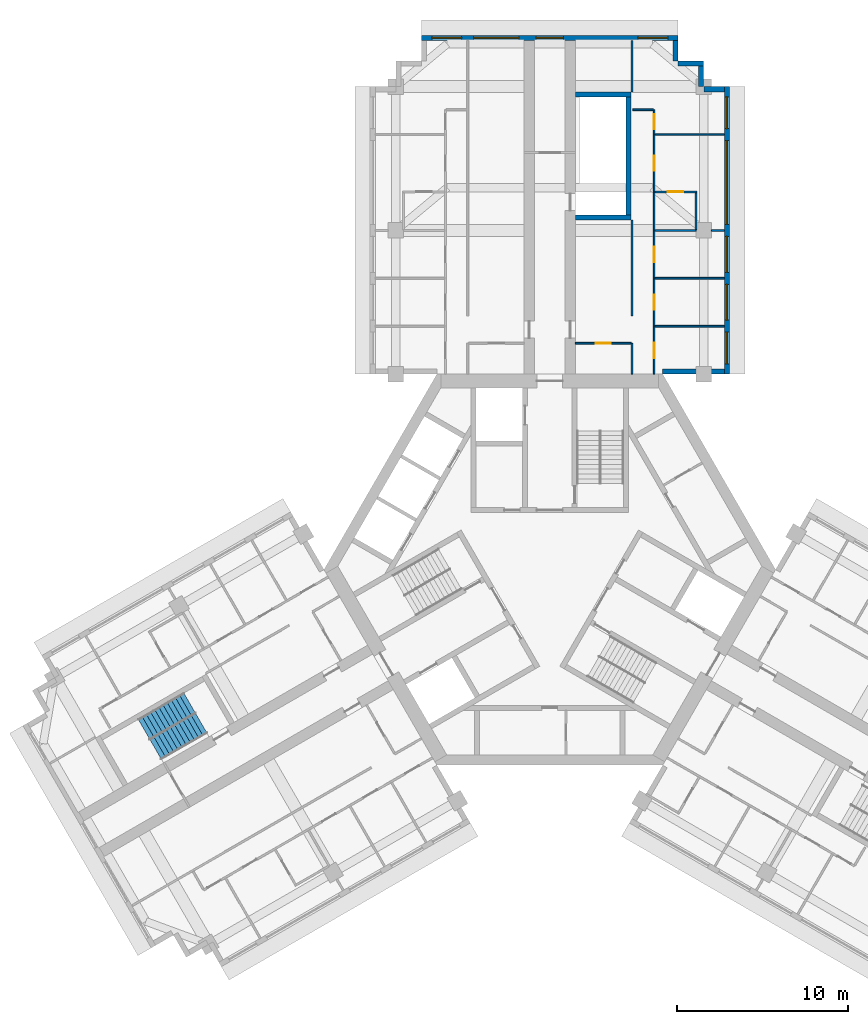
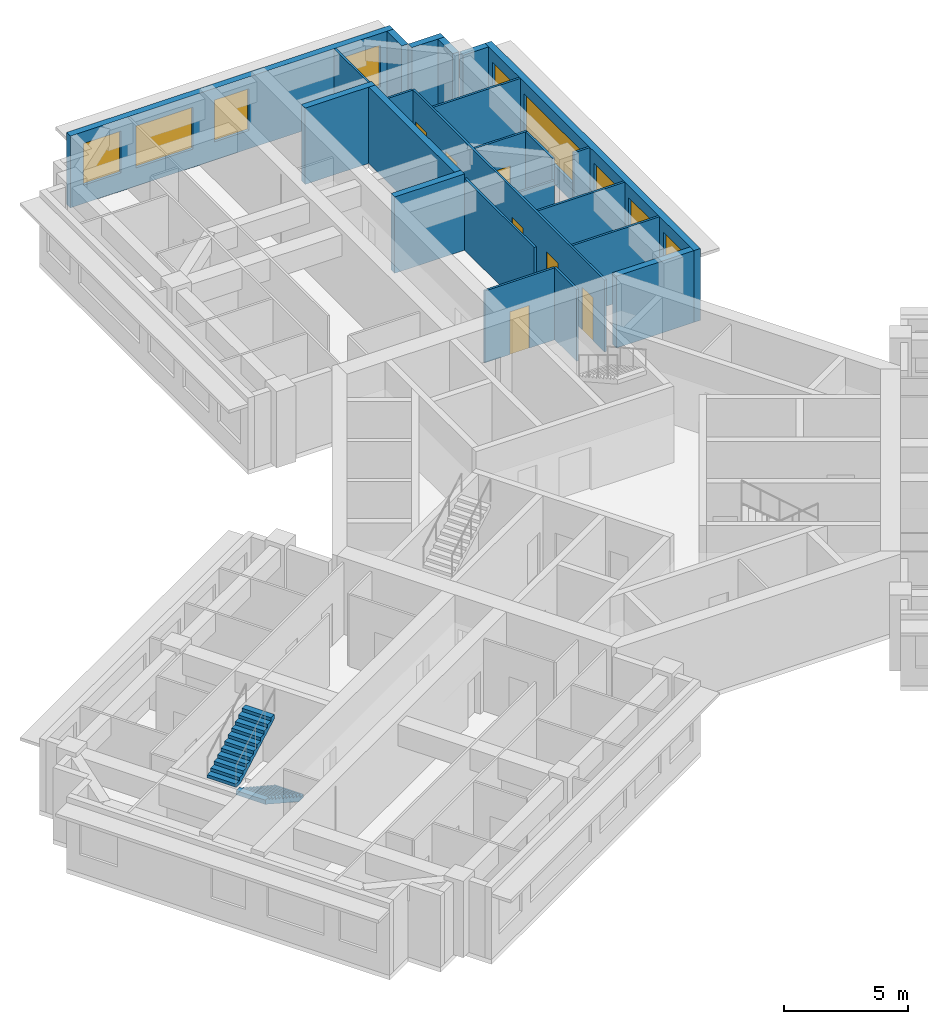
# One storey, part 8 of 10: 23 walls, 9 windows, 7 doors, 2 stair flights, 16 openings, 1 element without a shape of its own.
"""IFC4 building model written with IfcOpenShell, lengths in metres."""

from ifc_helpers import new_model, si_unit, direction, frame, frame_2d, origin, place, context, subcontext, project, spatial, polyline, rectangle, outline, extrude, material, layer, layer_set, type_object, element, fill, aggregate, save


model = new_model("IFC4")

# Units and contexts
model_context = context("Model", 3, precision=1e-05, world=origin(), true_north=direction((0.0, 1.0)))
body_context = subcontext(model_context, "Body", "Model", "MODEL_VIEW")
ifc_project = project(units=[si_unit("LENGTHUNIT", "METRE"), si_unit("AREAUNIT", "SQUARE_METRE"), si_unit("VOLUMEUNIT", "CUBIC_METRE"), si_unit("PLANEANGLEUNIT", "RADIAN"), si_unit("MASSUNIT", "GRAM", prefix="KILO")], contexts=[model_context])

# Site, building, storey
site_placement = place(None, origin())
site = spatial("IfcSite", under=ifc_project, at=site_placement, CompositionType="ELEMENT")
building_placement = place(site_placement, origin())
building = spatial("IfcBuilding", under=site, at=building_placement, Name="Impinga Residences", CompositionType="ELEMENT")
storey_placement = place(building_placement, frame((0.0, 0.0, 271.0)))
storey = spatial("IfcBuildingStorey", under=building, at=storey_placement, Name="L68", CompositionType="ELEMENT", Elevation=271.0)

# Wall, openings, windows
ifc_material_1 = material(Name="Terracotta rainscreen on blockwork", Category="masonry")
ifc_layer_1 = layer(ifc_material_1, 0.300048828125)
ifc_layer_set_1 = layer_set([ifc_layer_1], Name="EW1 external wall, terracotta rainscreen on blockwork 300")
wall_type_1 = type_object("IfcWallType", Name="EW1 external wall, terracotta rainscreen on blockwork 300", PredefinedType="SOLIDWALL", material=ifc_layer_set_1)
wall_1_placement = place(storey_placement, frame((-7.5, 31.08154296875, 0.0), z_axis=(0.0, 0.0, 1.0), x_axis=(1.0, 0.0, 0.0)))
wall_1 = element("IfcWall", 1, at=wall_1_placement, inside=storey, type_object=wall_type_1, Name="External wall EW1 L68", PredefinedType="SOLIDWALL", context=body_context, shape_type="SweptSolid", body=[
    extrude(rectangle(XDim=15.0, YDim=0.300048828125, at=frame_2d((7.5, 0.0))), origin(), (0.0, 0.0, 1.0), 3.530029296875),
])
opening_1_placement = place(wall_1_placement, frame((0.60009765625, 0.0, 0.89990234375)))
opening_1 = element("IfcOpeningElement", 2, at=opening_1_placement, cuts=wall_1, Name="Opening W1", PredefinedType="OPENING", context=body_context, shape_type="SweptSolid", body=[
    extrude(rectangle(XDim=1.75, YDim=2.050048828125, at=frame_2d((0.875, 1.02490234375))), frame((0.0, 0.159912109375, 0.0), z_axis=(0.0, -1.0, 0.0), x_axis=(1.0, 0.0, 0.0)), (0.0, 0.0, 1.0), 0.320068359375),
])
opening_2_placement = place(wall_1_placement, frame((3.050048828125, 0.0, 0.89990234375)))
opening_2 = element("IfcOpeningElement", 3, at=opening_2_placement, cuts=wall_1, Name="Opening W18", PredefinedType="OPENING", context=body_context, shape_type="SweptSolid", body=[
    extrude(rectangle(XDim=2.64990234375, YDim=2.050048828125, at=frame_2d((1.324951171875, 1.02490234375))), frame((0.0, 0.159912109375, 0.0), z_axis=(0.0, -1.0, 0.0), x_axis=(1.0, 0.0, 0.0)), (0.0, 0.0, 1.0), 0.320068359375),
])
opening_3_placement = place(wall_1_placement, frame((6.699951171875, 0.0, 0.89990234375)))
opening_3 = element("IfcOpeningElement", 4, at=opening_3_placement, cuts=wall_1, Name="Opening W19", PredefinedType="OPENING", context=body_context, shape_type="SweptSolid", body=[
    extrude(rectangle(XDim=1.60009765625, YDim=2.050048828125, at=frame_2d((0.800048828125, 1.02490234375))), frame((0.0, 0.159912109375, 0.0), z_axis=(0.0, -1.0, 0.0), x_axis=(1.0, 0.0, 0.0)), (0.0, 0.0, 1.0), 0.320068359375),
])
opening_4_placement = place(wall_1_placement, frame((12.64990234375, 0.0, 0.89990234375)))
opening_4 = element("IfcOpeningElement", 5, at=opening_4_placement, cuts=wall_1, Name="Opening W1", PredefinedType="OPENING", context=body_context, shape_type="SweptSolid", body=[
    extrude(rectangle(XDim=1.75, YDim=2.050048828125, at=frame_2d((0.875, 1.02490234375))), frame((0.0, 0.159912109375, 0.0), z_axis=(0.0, -1.0, 0.0), x_axis=(1.0, 0.0, 0.0)), (0.0, 0.0, 1.0), 0.320068359375),
])
ifc_material_2 = material(Name="Aluminium window, clear double glazing", Category="aluminium")
window_type_1 = type_object("IfcWindowType", Name="W1 ribbon window 1750x2050", PartitioningType="SINGLE_PANEL", PredefinedType="WINDOW", material=ifc_material_2)
window_1_placement = place(opening_1_placement, origin())
window_1 = element("IfcWindow", 6, at=window_1_placement, inside=storey, type_object=window_type_1, Name="Window L68", OverallHeight=2.050048828125, OverallWidth=1.75, PartitioningType="SINGLE_PANEL", PredefinedType="WINDOW", context=body_context, shape_type="SweptSolid", body=[
    extrude(rectangle(XDim=1.75, YDim=2.050048828125, at=frame_2d((0.875, 1.02490234375))), frame((0.0, 0.030029296875, 0.0), z_axis=(0.0, -1.0, 0.0), x_axis=(1.0, 0.0, 0.0)), (0.0, 0.0, 1.0), 0.06005859375),
])
fill(opening_1, window_1)
window_2_placement = place(opening_4_placement, origin())
window_2 = element("IfcWindow", 7, at=window_2_placement, inside=storey, type_object=window_type_1, Name="Window L68", OverallHeight=2.050048828125, OverallWidth=1.75, PartitioningType="SINGLE_PANEL", PredefinedType="WINDOW", context=body_context, shape_type="SweptSolid", body=[
    extrude(rectangle(XDim=1.75, YDim=2.050048828125, at=frame_2d((0.875, 1.02490234375))), frame((0.0, 0.030029296875, 0.0), z_axis=(0.0, -1.0, 0.0), x_axis=(1.0, 0.0, 0.0)), (0.0, 0.0, 1.0), 0.06005859375),
])
fill(opening_4, window_2)
window_type_2 = type_object("IfcWindowType", Name="W18 ribbon window 2650x2050", PartitioningType="SINGLE_PANEL", PredefinedType="WINDOW", material=ifc_material_2)
window_3_placement = place(opening_2_placement, origin())
window_3 = element("IfcWindow", 8, at=window_3_placement, inside=storey, type_object=window_type_2, Name="Window L68", OverallHeight=2.050048828125, OverallWidth=2.64990234375, PartitioningType="SINGLE_PANEL", PredefinedType="WINDOW", context=body_context, shape_type="SweptSolid", body=[
    extrude(rectangle(XDim=2.64990234375, YDim=2.050048828125, at=frame_2d((1.324951171875, 1.02490234375))), frame((0.0, 0.030029296875, 0.0), z_axis=(0.0, -1.0, 0.0), x_axis=(1.0, 0.0, 0.0)), (0.0, 0.0, 1.0), 0.06005859375),
])
fill(opening_2, window_3)
window_type_3 = type_object("IfcWindowType", Name="W19 ribbon window 1600x2050", PartitioningType="SINGLE_PANEL", PredefinedType="WINDOW", material=ifc_material_2)
window_4_placement = place(opening_3_placement, origin())
window_4 = element("IfcWindow", 9, at=window_4_placement, inside=storey, type_object=window_type_3, Name="Window L68", OverallHeight=2.050048828125, OverallWidth=1.60009765625, PartitioningType="SINGLE_PANEL", PredefinedType="WINDOW", context=body_context, shape_type="SweptSolid", body=[
    extrude(rectangle(XDim=1.60009765625, YDim=2.050048828125, at=frame_2d((0.800048828125, 1.02490234375))), frame((0.0, 0.030029296875, 0.0), z_axis=(0.0, -1.0, 0.0), x_axis=(1.0, 0.0, 0.0)), (0.0, 0.0, 1.0), 0.06005859375),
])
fill(opening_3, window_4)

# Walls
wall_2_placement = place(storey_placement, frame((7.35009765625, 30.931640625, 0.0), z_axis=(0.0, 0.0, 1.0), x_axis=(0.0, -1.0, 0.0)))
element("IfcWall", 10, at=wall_2_placement, inside=storey, type_object=wall_type_1, Name="External wall EW1 L68", PredefinedType="SOLIDWALL", context=body_context, shape_type="SweptSolid", body=[
    extrude(rectangle(XDim=1.195068359375, YDim=0.300048828125, at=frame_2d((0.59765625, 0.0))), origin(), (0.0, 0.0, 1.0), 3.530029296875),
])
wall_3_placement = place(storey_placement, frame((7.5, 29.58154296875, 0.0), z_axis=(0.0, 0.0, 1.0), x_axis=(1.0, 0.0, 0.0)))
element("IfcWall", 11, at=wall_3_placement, inside=storey, type_object=wall_type_1, Name="External wall EW1 L68", PredefinedType="SOLIDWALL", context=body_context, shape_type="SweptSolid", body=[
    extrude(rectangle(XDim=1.5, YDim=0.300048828125, at=frame_2d((0.75, 0.0))), origin(), (0.0, 0.0, 1.0), 3.530029296875),
])
wall_4_placement = place(storey_placement, frame((8.85009765625, 29.431640625, 0.0), z_axis=(0.0, 0.0, 1.0), x_axis=(0.0, -1.0, 0.0)))
element("IfcWall", 12, at=wall_4_placement, inside=storey, type_object=wall_type_1, Name="External wall EW1 L68", PredefinedType="SOLIDWALL", context=body_context, shape_type="SweptSolid", body=[
    extrude(rectangle(XDim=1.2001953125, YDim=0.300048828125, at=frame_2d((0.60009765625, 0.0))), origin(), (0.0, 0.0, 1.0), 3.530029296875),
])
wall_5_placement = place(storey_placement, frame((9.0048828125, 28.08154296875, 0.0), z_axis=(0.0, 0.0, 1.0), x_axis=(1.0, 0.0, 0.0)))
element("IfcWall", 13, at=wall_5_placement, inside=storey, type_object=wall_type_1, Name="External wall EW1 L68", PredefinedType="SOLIDWALL", context=body_context, shape_type="SweptSolid", body=[
    extrude(rectangle(XDim=1.195068359375, YDim=0.300048828125, at=frame_2d((0.59765625, 0.0))), origin(), (0.0, 0.0, 1.0), 3.530029296875),
])

# Wall, openings, windows
wall_6_placement = place(storey_placement, frame((10.35009765625, 28.2314453125, 0.0), z_axis=(0.0, 0.0, 1.0), x_axis=(0.0, -1.0, 0.0)))
wall_6 = element("IfcWall", 14, at=wall_6_placement, inside=storey, type_object=wall_type_1, Name="External wall EW1 L68", PredefinedType="SOLIDWALL", context=body_context, shape_type="SweptSolid", body=[
    extrude(rectangle(XDim=16.7998046875, YDim=0.300048828125, at=frame_2d((8.39990234375, 0.0))), origin(), (0.0, 0.0, 1.0), 3.530029296875),
])
opening_5_placement = place(wall_6_placement, frame((0.60009765625, 0.0, 0.89990234375)))
opening_5 = element("IfcOpeningElement", 15, at=opening_5_placement, cuts=wall_6, Name="Opening W15", PredefinedType="OPENING", context=body_context, shape_type="SweptSolid", body=[
    extrude(rectangle(XDim=1.85009765625, YDim=2.050048828125, at=frame_2d((0.925048828125, 1.02490234375))), frame((0.0, 0.159912109375, 0.0), z_axis=(0.0, -1.0, 0.0), x_axis=(1.0, 0.0, 0.0)), (0.0, 0.0, 1.0), 0.320068359375),
])
opening_6_placement = place(wall_6_placement, frame((3.14990234375, 0.0, 0.89990234375)))
opening_6 = element("IfcOpeningElement", 16, at=opening_6_placement, cuts=wall_6, Name="Opening W16", PredefinedType="OPENING", context=body_context, shape_type="SweptSolid", body=[
    extrude(rectangle(XDim=4.89990234375, YDim=2.050048828125, at=frame_2d((2.449951171875, 1.02490234375))), frame((0.0, 0.159912109375, 0.0), z_axis=(0.0, -1.0, 0.0), x_axis=(1.0, 0.0, 0.0)), (0.0, 0.0, 1.0), 0.320068359375),
])
opening_7_placement = place(wall_6_placement, frame((8.75, 0.0, 0.89990234375)))
opening_7 = element("IfcOpeningElement", 17, at=opening_7_placement, cuts=wall_6, Name="Opening W9", PredefinedType="OPENING", context=body_context, shape_type="SweptSolid", body=[
    extrude(rectangle(XDim=2.10009765625, YDim=2.050048828125, at=frame_2d((1.050048828125, 1.02490234375))), frame((0.0, 0.159912109375, 0.0), z_axis=(0.0, -1.0, 0.0), x_axis=(1.0, 0.0, 0.0)), (0.0, 0.0, 1.0), 0.320068359375),
])
opening_8_placement = place(wall_6_placement, frame((11.550048828125, 0.0, 0.89990234375)))
opening_8 = element("IfcOpeningElement", 18, at=opening_8_placement, cuts=wall_6, Name="Opening W9", PredefinedType="OPENING", context=body_context, shape_type="SweptSolid", body=[
    extrude(rectangle(XDim=2.10009765625, YDim=2.050048828125, at=frame_2d((1.050048828125, 1.02490234375))), frame((0.0, 0.159912109375, 0.0), z_axis=(0.0, -1.0, 0.0), x_axis=(1.0, 0.0, 0.0)), (0.0, 0.0, 1.0), 0.320068359375),
])
opening_9_placement = place(wall_6_placement, frame((14.35009765625, 0.0, 0.89990234375)))
opening_9 = element("IfcOpeningElement", 19, at=opening_9_placement, cuts=wall_6, Name="Opening W15", PredefinedType="OPENING", context=body_context, shape_type="SweptSolid", body=[
    extrude(rectangle(XDim=1.85009765625, YDim=2.050048828125, at=frame_2d((0.925048828125, 1.02490234375))), frame((0.0, 0.159912109375, 0.0), z_axis=(0.0, -1.0, 0.0), x_axis=(1.0, 0.0, 0.0)), (0.0, 0.0, 1.0), 0.320068359375),
])
window_type_4 = type_object("IfcWindowType", Name="W15 ribbon window 1850x2050", PartitioningType="SINGLE_PANEL", PredefinedType="WINDOW", material=ifc_material_2)
window_5_placement = place(opening_5_placement, origin())
window_5 = element("IfcWindow", 20, at=window_5_placement, inside=storey, type_object=window_type_4, Name="Window L68", OverallHeight=2.050048828125, OverallWidth=1.85009765625, PartitioningType="SINGLE_PANEL", PredefinedType="WINDOW", context=body_context, shape_type="SweptSolid", body=[
    extrude(rectangle(XDim=1.85009765625, YDim=2.050048828125, at=frame_2d((0.925048828125, 1.02490234375))), frame((0.0, 0.030029296875, 0.0), z_axis=(0.0, -1.0, 0.0), x_axis=(1.0, 0.0, 0.0)), (0.0, 0.0, 1.0), 0.06005859375),
])
fill(opening_5, window_5)
window_6_placement = place(opening_9_placement, origin())
window_6 = element("IfcWindow", 21, at=window_6_placement, inside=storey, type_object=window_type_4, Name="Window L68", OverallHeight=2.050048828125, OverallWidth=1.85009765625, PartitioningType="SINGLE_PANEL", PredefinedType="WINDOW", context=body_context, shape_type="SweptSolid", body=[
    extrude(rectangle(XDim=1.85009765625, YDim=2.050048828125, at=frame_2d((0.925048828125, 1.02490234375))), frame((0.0, 0.030029296875, 0.0), z_axis=(0.0, -1.0, 0.0), x_axis=(1.0, 0.0, 0.0)), (0.0, 0.0, 1.0), 0.06005859375),
])
fill(opening_9, window_6)
window_type_5 = type_object("IfcWindowType", Name="W16 ribbon window 4900x2050", PartitioningType="SINGLE_PANEL", PredefinedType="WINDOW", material=ifc_material_2)
window_7_placement = place(opening_6_placement, origin())
window_7 = element("IfcWindow", 22, at=window_7_placement, inside=storey, type_object=window_type_5, Name="Window L68", OverallHeight=2.050048828125, OverallWidth=4.89990234375, PartitioningType="SINGLE_PANEL", PredefinedType="WINDOW", context=body_context, shape_type="SweptSolid", body=[
    extrude(rectangle(XDim=4.89990234375, YDim=2.050048828125, at=frame_2d((2.449951171875, 1.02490234375))), frame((0.0, 0.030029296875, 0.0), z_axis=(0.0, -1.0, 0.0), x_axis=(1.0, 0.0, 0.0)), (0.0, 0.0, 1.0), 0.06005859375),
])
fill(opening_6, window_7)
window_type_6 = type_object("IfcWindowType", Name="W9 ribbon window 2100x2050", PartitioningType="SINGLE_PANEL", PredefinedType="WINDOW", material=ifc_material_2)
window_8_placement = place(opening_7_placement, origin())
window_8 = element("IfcWindow", 23, at=window_8_placement, inside=storey, type_object=window_type_6, Name="Window L68", OverallHeight=2.050048828125, OverallWidth=2.10009765625, PartitioningType="SINGLE_PANEL", PredefinedType="WINDOW", context=body_context, shape_type="SweptSolid", body=[
    extrude(rectangle(XDim=2.10009765625, YDim=2.050048828125, at=frame_2d((1.050048828125, 1.02490234375))), frame((0.0, 0.030029296875, 0.0), z_axis=(0.0, -1.0, 0.0), x_axis=(1.0, 0.0, 0.0)), (0.0, 0.0, 1.0), 0.06005859375),
])
fill(opening_7, window_8)
window_9_placement = place(opening_8_placement, origin())
window_9 = element("IfcWindow", 24, at=window_9_placement, inside=storey, type_object=window_type_6, Name="Window L68", OverallHeight=2.050048828125, OverallWidth=2.10009765625, PartitioningType="SINGLE_PANEL", PredefinedType="WINDOW", context=body_context, shape_type="SweptSolid", body=[
    extrude(rectangle(XDim=2.10009765625, YDim=2.050048828125, at=frame_2d((1.050048828125, 1.02490234375))), frame((0.0, 0.030029296875, 0.0), z_axis=(0.0, -1.0, 0.0), x_axis=(1.0, 0.0, 0.0)), (0.0, 0.0, 1.0), 0.06005859375),
])
fill(opening_8, window_9)

# Walls
wall_7_placement = place(storey_placement, frame((10.199951171875, 11.58154296875, 0.0), z_axis=(0.0, 0.0, 1.0), x_axis=(-1.0, 0.0, 0.0)))
element("IfcWall", 25, at=wall_7_placement, inside=storey, type_object=wall_type_1, Name="External wall EW1 L68", PredefinedType="SOLIDWALL", context=body_context, shape_type="SweptSolid", body=[
    extrude(rectangle(XDim=3.599853515625, YDim=0.300048828125, at=frame_2d((1.7998046875, 0.0))), origin(), (0.0, 0.0, 1.0), 3.530029296875),
])
ifc_material_3 = material(Name="Gypsum board on steel studs", Category="steel")
ifc_layer_2 = layer(ifc_material_3, 0.10009765625)
ifc_layer_set_2 = layer_set([ifc_layer_2], Name="Gypsum board on steel studs")
wall_type_2 = type_object("IfcWallType", Name="IP1 partition 100", PredefinedType="PARTITIONING", material=ifc_layer_set_2)
wall_8_placement = place(storey_placement, frame((4.800048828125, 11.431640625, 0.0), z_axis=(0.0, 0.0, 1.0), x_axis=(0.0, 1.0, 0.0)))
element("IfcWall", 26, at=wall_8_placement, inside=storey, type_object=wall_type_2, Name="Partition L68-NF1:DIV0", PredefinedType="PARTITIONING", context=body_context, shape_type="SweptSolid", body=[
    extrude(rectangle(XDim=1.7998046875, YDim=0.10009765625, at=frame_2d((0.89990234375, 0.0))), origin(), (0.0, 0.0, 1.0), 3.530029296875),
])
wall_9_placement = place(storey_placement, frame((4.800048828125, 14.83154296875, 0.0), z_axis=(0.0, 0.0, 1.0), x_axis=(0.0, 1.0, 0.0)))
element("IfcWall", 27, at=wall_9_placement, inside=storey, type_object=wall_type_2, Name="Partition L68-NF1:DIV1", PredefinedType="PARTITIONING", context=body_context, shape_type="SweptSolid", body=[
    extrude(rectangle(XDim=5.60009765625, YDim=0.10009765625, at=frame_2d((2.800048828125, 0.0))), origin(), (0.0, 0.0, 1.0), 3.530029296875),
])
wall_10_placement = place(storey_placement, frame((4.800048828125, 27.931640625, 0.0), z_axis=(0.0, 0.0, 1.0), x_axis=(0.0, 1.0, 0.0)))
element("IfcWall", 28, at=wall_10_placement, inside=storey, type_object=wall_type_2, Name="Partition L68-NF1:DIV2", PredefinedType="PARTITIONING", context=body_context, shape_type="SweptSolid", body=[
    extrude(rectangle(XDim=3.0, YDim=0.10009765625, at=frame_2d((1.5, 0.0))), origin(), (0.0, 0.0, 1.0), 3.530029296875),
])

# Wall, openings, doors
wall_11_placement = place(storey_placement, frame((6.10009765625, 11.431640625, 0.0), z_axis=(0.0, 0.0, 1.0), x_axis=(0.0, 1.0, 0.0)))
wall_11 = element("IfcWall", 29, at=wall_11_placement, inside=storey, type_object=wall_type_2, Name="Partition L68-NF1:STRIP", PredefinedType="PARTITIONING", context=body_context, shape_type="SweptSolid", body=[
    extrude(rectangle(XDim=15.449951171875, YDim=0.10009765625, at=frame_2d((7.72509765625, 0.0))), origin(), (0.0, 0.0, 1.0), 3.530029296875),
])
opening_10_placement = place(wall_11_placement, frame((0.925048828125, 0.0, 0.0)))
opening_10 = element("IfcOpeningElement", 30, at=opening_10_placement, cuts=wall_11, Name="Opening D2", PredefinedType="OPENING", context=body_context, shape_type="SweptSolid", body=[
    extrude(rectangle(XDim=0.89990234375, YDim=2.10009765625, at=frame_2d((0.449951171875, 1.050048828125))), frame((0.0, 0.06005859375, 0.0), z_axis=(0.0, -1.0, 0.0), x_axis=(1.0, 0.0, 0.0)), (0.0, 0.0, 1.0), 0.1201171875),
])
opening_11_placement = place(wall_11_placement, frame((3.75, 0.0, 0.0)))
opening_11 = element("IfcOpeningElement", 31, at=opening_11_placement, cuts=wall_11, Name="Opening D2", PredefinedType="OPENING", context=body_context, shape_type="SweptSolid", body=[
    extrude(rectangle(XDim=0.89990234375, YDim=2.10009765625, at=frame_2d((0.449951171875, 1.050048828125))), frame((0.0, 0.06005859375, 0.0), z_axis=(0.0, -1.0, 0.0), x_axis=(1.0, 0.0, 0.0)), (0.0, 0.0, 1.0), 0.1201171875),
])
opening_12_placement = place(wall_11_placement, frame((6.550048828125, 0.0, 0.0)))
opening_12 = element("IfcOpeningElement", 32, at=opening_12_placement, cuts=wall_11, Name="Opening D2", PredefinedType="OPENING", context=body_context, shape_type="SweptSolid", body=[
    extrude(rectangle(XDim=0.89990234375, YDim=2.10009765625, at=frame_2d((0.449951171875, 1.050048828125))), frame((0.0, 0.06005859375, 0.0), z_axis=(0.0, -1.0, 0.0), x_axis=(1.0, 0.0, 0.0)), (0.0, 0.0, 1.0), 0.1201171875),
])
opening_13_placement = place(wall_11_placement, frame((11.875, 0.0, 0.0)))
opening_13 = element("IfcOpeningElement", 33, at=opening_13_placement, cuts=wall_11, Name="Opening D2", PredefinedType="OPENING", context=body_context, shape_type="SweptSolid", body=[
    extrude(rectangle(XDim=0.89990234375, YDim=2.10009765625, at=frame_2d((0.449951171875, 1.050048828125))), frame((0.0, 0.06005859375, 0.0), z_axis=(0.0, -1.0, 0.0), x_axis=(1.0, 0.0, 0.0)), (0.0, 0.0, 1.0), 0.1201171875),
])
opening_14_placement = place(wall_11_placement, frame((14.300048828125, 0.0, 0.0)))
opening_14 = element("IfcOpeningElement", 34, at=opening_14_placement, cuts=wall_11, Name="Opening D2", PredefinedType="OPENING", context=body_context, shape_type="SweptSolid", body=[
    extrude(rectangle(XDim=0.89990234375, YDim=2.10009765625, at=frame_2d((0.449951171875, 1.050048828125))), frame((0.0, 0.06005859375, 0.0), z_axis=(0.0, -1.0, 0.0), x_axis=(1.0, 0.0, 0.0)), (0.0, 0.0, 1.0), 0.1201171875),
])
ifc_material_4 = material(Name="Timber door set", Category="wood")
door_type = type_object("IfcDoorType", Name="D2 internal door 900x2100", OperationType="SINGLE_SWING_LEFT", PredefinedType="DOOR", material=ifc_material_4)
door_1_placement = place(opening_10_placement, origin())
door_1 = element("IfcDoor", 35, at=door_1_placement, inside=storey, type_object=door_type, Name="Apartment L68-NF1 room door", OperationType="SINGLE_SWING_LEFT", OverallHeight=2.10009765625, OverallWidth=0.89990234375, PredefinedType="DOOR", context=body_context, shape_type="SweptSolid", body=[
    extrude(rectangle(XDim=0.89990234375, YDim=2.10009765625, at=frame_2d((0.449951171875, 1.050048828125))), frame((0.0, 0.02490234375, 0.0), z_axis=(0.0, -1.0, 0.0), x_axis=(1.0, 0.0, 0.0)), (0.0, 0.0, 1.0), 0.050048828125),
])
fill(opening_10, door_1)
door_2_placement = place(opening_11_placement, origin())
door_2 = element("IfcDoor", 36, at=door_2_placement, inside=storey, type_object=door_type, Name="Apartment L68-NF1 room door", OperationType="SINGLE_SWING_LEFT", OverallHeight=2.10009765625, OverallWidth=0.89990234375, PredefinedType="DOOR", context=body_context, shape_type="SweptSolid", body=[
    extrude(rectangle(XDim=0.89990234375, YDim=2.10009765625, at=frame_2d((0.449951171875, 1.050048828125))), frame((0.0, 0.02490234375, 0.0), z_axis=(0.0, -1.0, 0.0), x_axis=(1.0, 0.0, 0.0)), (0.0, 0.0, 1.0), 0.050048828125),
])
fill(opening_11, door_2)
door_3_placement = place(opening_12_placement, origin())
door_3 = element("IfcDoor", 37, at=door_3_placement, inside=storey, type_object=door_type, Name="Apartment L68-NF1 room door", OperationType="SINGLE_SWING_LEFT", OverallHeight=2.10009765625, OverallWidth=0.89990234375, PredefinedType="DOOR", context=body_context, shape_type="SweptSolid", body=[
    extrude(rectangle(XDim=0.89990234375, YDim=2.10009765625, at=frame_2d((0.449951171875, 1.050048828125))), frame((0.0, 0.02490234375, 0.0), z_axis=(0.0, -1.0, 0.0), x_axis=(1.0, 0.0, 0.0)), (0.0, 0.0, 1.0), 0.050048828125),
])
fill(opening_12, door_3)
door_4_placement = place(opening_13_placement, origin())
door_4 = element("IfcDoor", 38, at=door_4_placement, inside=storey, type_object=door_type, Name="Apartment L68-NF1 room door", OperationType="SINGLE_SWING_RIGHT", OverallHeight=2.10009765625, OverallWidth=0.89990234375, PredefinedType="DOOR", context=body_context, shape_type="SweptSolid", body=[
    extrude(rectangle(XDim=0.89990234375, YDim=2.10009765625, at=frame_2d((0.449951171875, 1.050048828125))), frame((0.0, 0.02490234375, 0.0), z_axis=(0.0, -1.0, 0.0), x_axis=(1.0, 0.0, 0.0)), (0.0, 0.0, 1.0), 0.050048828125),
])
fill(opening_13, door_4)
door_5_placement = place(opening_14_placement, origin())
door_5 = element("IfcDoor", 39, at=door_5_placement, inside=storey, type_object=door_type, Name="Apartment L68-NF1 room door", OperationType="SINGLE_SWING_RIGHT", OverallHeight=2.10009765625, OverallWidth=0.89990234375, PredefinedType="DOOR", context=body_context, shape_type="SweptSolid", body=[
    extrude(rectangle(XDim=0.89990234375, YDim=2.10009765625, at=frame_2d((0.449951171875, 1.050048828125))), frame((0.0, 0.02490234375, 0.0), z_axis=(0.0, -1.0, 0.0), x_axis=(1.0, 0.0, 0.0)), (0.0, 0.0, 1.0), 0.050048828125),
])
fill(opening_14, door_5)

# Wall
wall_12_placement = place(storey_placement, frame((4.85009765625, 26.881591796875, 0.0), z_axis=(0.0, 0.0, 1.0), x_axis=(1.0, 0.0, 0.0)))
element("IfcWall", 40, at=wall_12_placement, inside=storey, type_object=wall_type_2, Name="Partition L68-NF1:SE1", PredefinedType="PARTITIONING", context=body_context, shape_type="SweptSolid", body=[
    extrude(rectangle(XDim=1.199951171875, YDim=0.10009765625, at=frame_2d((0.60009765625, 0.0))), origin(), (0.0, 0.0, 1.0), 3.530029296875),
])

# Wall, opening, door
wall_13_placement = place(storey_placement, frame((1.5, 13.2314453125, 0.0), z_axis=(0.0, 0.0, 1.0), x_axis=(1.0, 0.0, 0.0)))
wall_13 = element("IfcWall", 41, at=wall_13_placement, inside=storey, type_object=wall_type_2, Name="Partition L68-NF1:IB1", PredefinedType="PARTITIONING", context=body_context, shape_type="SweptSolid", body=[
    extrude(rectangle(XDim=3.25, YDim=0.10009765625, at=frame_2d((1.625, 0.0))), origin(), (0.0, 0.0, 1.0), 3.530029296875),
])
opening_15_placement = place(wall_13_placement, frame((1.175048828125, 0.0, 0.0)))
opening_15 = element("IfcOpeningElement", 42, at=opening_15_placement, cuts=wall_13, Name="Opening D2", PredefinedType="OPENING", context=body_context, shape_type="SweptSolid", body=[
    extrude(rectangle(XDim=0.89990234375, YDim=2.10009765625, at=frame_2d((0.449951171875, 1.050048828125))), frame((0.0, 0.06005859375, 0.0), z_axis=(0.0, -1.0, 0.0), x_axis=(1.0, 0.0, 0.0)), (0.0, 0.0, 1.0), 0.1201171875),
])
door_6_placement = place(opening_15_placement, origin())
door_6 = element("IfcDoor", 43, at=door_6_placement, inside=storey, type_object=door_type, Name="Apartment L68-NF1 bathroom door", OperationType="SINGLE_SWING_LEFT", OverallHeight=2.10009765625, OverallWidth=0.89990234375, PredefinedType="DOOR", context=body_context, shape_type="SweptSolid", body=[
    extrude(rectangle(XDim=0.89990234375, YDim=2.10009765625, at=frame_2d((0.449951171875, 1.050048828125))), frame((0.0, 0.02490234375, 0.0), z_axis=(0.0, -1.0, 0.0), x_axis=(1.0, 0.0, 0.0)), (0.0, 0.0, 1.0), 0.050048828125),
])
fill(opening_15, door_6)

# Walls
for number, where, z_axis, x_axis, name in (
    (44, (6.14990234375, 14.2314453125, 0.0), (0.0, 0.0, 1.0), (1.0, 0.0, 0.0), "Partition L68-NF1:OB1"),
    (45, (6.14990234375, 17.031494140625, 0.0), (0.0, 0.0, 1.0), (1.0, 0.0, 0.0), "Partition L68-NF1:OB2"),
):
    element("IfcWall", number, at=place(storey_placement, frame(where, z_axis=z_axis, x_axis=x_axis)), inside=storey, type_object=wall_type_2, Name=name, PredefinedType="PARTITIONING", context=body_context, shape_type="SweptSolid", body=[
        extrude(rectangle(XDim=4.050048828125, YDim=0.10009765625, at=frame_2d((2.02490234375, 0.0))), origin(), (0.0, 0.0, 1.0), 3.530029296875),
    ])
wall_14_placement = place(storey_placement, frame((6.14990234375, 19.83154296875, 0.0), z_axis=(0.0, 0.0, 1.0), x_axis=(1.0, 0.0, 0.0)))
element("IfcWall", 46, at=wall_14_placement, inside=storey, type_object=wall_type_2, Name="Partition L68-NF1:OB3", PredefinedType="PARTITIONING", context=body_context, shape_type="SweptSolid", body=[
    extrude(rectangle(XDim=2.400146484375, YDim=0.10009765625, at=frame_2d((1.2001953125, 0.0))), origin(), (0.0, 0.0, 1.0), 2.47998046875),
])
wall_15_placement = place(storey_placement, frame((9.449951171875, 19.83154296875, 0.0), z_axis=(0.0, 0.0, 1.0), x_axis=(1.0, 0.0, 0.0)))
element("IfcWall", 47, at=wall_15_placement, inside=storey, type_object=wall_type_2, Name="Partition L68-NF1:OB3b", PredefinedType="PARTITIONING", context=body_context, shape_type="SweptSolid", body=[
    extrude(rectangle(XDim=0.75, YDim=0.10009765625, at=frame_2d((0.375, 0.0))), origin(), (0.0, 0.0, 1.0), 3.530029296875),
])
wall_16_placement = place(storey_placement, frame((6.14990234375, 25.431640625, 0.0), z_axis=(0.0, 0.0, 1.0), x_axis=(1.0, 0.0, 0.0)))
element("IfcWall", 48, at=wall_16_placement, inside=storey, type_object=wall_type_2, Name="Partition L68-NF1:OB4", PredefinedType="PARTITIONING", context=body_context, shape_type="SweptSolid", body=[
    extrude(rectangle(XDim=4.050048828125, YDim=0.10009765625, at=frame_2d((2.02490234375, 0.0))), origin(), (0.0, 0.0, 1.0), 3.530029296875),
])

# Wall, opening, door
wall_17_placement = place(storey_placement, frame((6.14990234375, 22.08154296875, 0.0), z_axis=(0.0, 0.0, 1.0), x_axis=(1.0, 0.0, 0.0)))
wall_17 = element("IfcWall", 49, at=wall_17_placement, inside=storey, type_object=wall_type_2, Name="Partition L68-NF1:EN1", PredefinedType="PARTITIONING", context=body_context, shape_type="SweptSolid", body=[
    extrude(rectangle(XDim=2.4501953125, YDim=0.10009765625, at=frame_2d((1.22509765625, 0.0))), origin(), (0.0, 0.0, 1.0), 3.530029296875),
])
opening_16_placement = place(wall_17_placement, frame((0.75, 0.0, 0.0)))
opening_16 = element("IfcOpeningElement", 50, at=opening_16_placement, cuts=wall_17, Name="Opening D2", PredefinedType="OPENING", context=body_context, shape_type="SweptSolid", body=[
    extrude(rectangle(XDim=0.89990234375, YDim=2.10009765625, at=frame_2d((0.449951171875, 1.050048828125))), frame((0.0, 0.06005859375, 0.0), z_axis=(0.0, -1.0, 0.0), x_axis=(1.0, 0.0, 0.0)), (0.0, 0.0, 1.0), 0.1201171875),
])
door_7_placement = place(opening_16_placement, origin())
door_7 = element("IfcDoor", 51, at=door_7_placement, inside=storey, type_object=door_type, Name="Apartment L68-NF1 en-suite door", OperationType="SINGLE_SWING_LEFT", OverallHeight=2.10009765625, OverallWidth=0.89990234375, PredefinedType="DOOR", context=body_context, shape_type="SweptSolid", body=[
    extrude(rectangle(XDim=0.89990234375, YDim=2.10009765625, at=frame_2d((0.449951171875, 1.050048828125))), frame((0.0, 0.02490234375, 0.0), z_axis=(0.0, -1.0, 0.0), x_axis=(1.0, 0.0, 0.0)), (0.0, 0.0, 1.0), 0.050048828125),
])
fill(opening_16, door_7)

# Walls
wall_18_placement = place(storey_placement, frame((8.550048828125, 19.881591796875, 0.0), z_axis=(0.0, 0.0, 1.0), x_axis=(0.0, 1.0, 0.0)))
element("IfcWall", 52, at=wall_18_placement, inside=storey, type_object=wall_type_2, Name="Partition L68-NF1:EN2", PredefinedType="PARTITIONING", context=body_context, shape_type="SweptSolid", body=[
    extrude(rectangle(XDim=2.14990234375, YDim=0.10009765625, at=frame_2d((1.074951171875, 0.0))), origin(), (0.0, 0.0, 1.0), 3.530029296875),
])
ifc_material_5 = material(Name="Concrete C60/75", Category="concrete")
ifc_layer_3 = layer(ifc_material_5, 0.300048828125)
ifc_layer_set_3 = layer_set([ifc_layer_3], Name="Concrete C60/75")
wall_type_3 = type_object("IfcWallType", Name="SE1 wing stair enclosure wall 300", PredefinedType="SOLIDWALL", material=ifc_layer_set_3)
for number, where, z_axis, x_axis, name in (
    (53, (1.5, 20.58154296875, 0.0), (0.0, 0.0, 1.0), (1.0, 0.0, 0.0), "Stair enclosure wall SE1 N END0 L68"),
    (54, (1.5, 27.781494140625, 0.0), (0.0, 0.0, 1.0), (1.0, 0.0, 0.0), "Stair enclosure wall SE1 N END1 L68"),
):
    element("IfcWall", number, at=place(storey_placement, frame(where, z_axis=z_axis, x_axis=x_axis)), inside=storey, type_object=wall_type_3, Name=name, PredefinedType="SOLIDWALL", context=body_context, shape_type="SweptSolid", body=[
        extrude(rectangle(XDim=3.25, YDim=0.300048828125, at=frame_2d((1.625, 0.0))), origin(), (0.0, 0.0, 1.0), 3.75),
    ])
wall_19_placement = place(storey_placement, frame((4.60009765625, 20.7314453125, 0.0), z_axis=(0.0, 0.0, 1.0), x_axis=(0.0, 1.0, 0.0)))
element("IfcWall", 55, at=wall_19_placement, inside=storey, type_object=wall_type_3, Name="Stair enclosure wall SE1 N OUT L68", PredefinedType="SOLIDWALL", context=body_context, shape_type="SweptSolid", body=[
    extrude(rectangle(XDim=6.900146484375, YDim=0.300048828125, at=frame_2d((3.4501953125, 0.0))), origin(), (0.0, 0.0, 1.0), 3.75),
])

# Stair, stair flights
ifc_material_6 = material(Name="Concrete C40/50", Category="concrete")
stair_type = type_object("IfcStairType", Name="STR wing stair 3750 storey, 24 risers", PredefinedType="HALF_TURN_STAIR", material=ifc_material_6)
stair_placement = place(storey_placement, origin())
stair = element("IfcStair", 56, at=stair_placement, inside=storey, type_object=stair_type, Name="Stair WS2 L68", PredefinedType="HALF_TURN_STAIR")
stair_flight_type = type_object("IfcStairFlightType", Name="SF 12 risers of 156", PredefinedType="STRAIGHT", material=ifc_material_6)
stair_flight_1_placement = place(storey_placement, frame((-20.37890625, -8.965576171875, 0.0), z_axis=(0.0, 0.0, 1.0), x_axis=(-0.866025403784, -0.5, 0.0)))
stair_flight_1 = element("IfcStairFlight", 57, at=stair_flight_1_placement, type_object=stair_flight_type, Name="WS2 flight 1", NumberOfRisers=12, NumberOfTreads=11, PredefinedType="STRAIGHT", RiserHeight=0.15625, TreadLength=0.28, context=body_context, shape_type="SweptSolid", body=[
    extrude(outline(polyline([(0.0, 0.0), (0.0, 0.15625), (0.280029296875, 0.15625), (0.280029296875, 0.3125), (0.56005859375, 0.3125), (0.56005859375, 0.46875), (0.840087890625, 0.46875), (0.840087890625, 0.625), (1.1201171875, 0.625), (1.1201171875, 0.78125), (1.39990234375, 0.78125), (1.39990234375, 0.9375), (1.679931640625, 0.9375), (1.679931640625, 1.09375), (1.9599609375, 1.09375), (1.9599609375, 1.25), (2.239990234375, 1.25), (2.239990234375, 1.40625), (2.52001953125, 1.40625), (2.52001953125, 1.5625), (2.800048828125, 1.5625), (2.800048828125, 1.71875), (3.080078125, 1.71875), (3.080078125, 1.875), (3.080078125, 1.5126953125), (0.369140625, 0.0), (0.0, 0.0)])), frame((0.0, 0.675048828125, 0.0), z_axis=(0.0, -1.0, 0.0), x_axis=(1.0, 0.0, 0.0)), (0.0, 0.0, 1.0), 1.35009765625),
])
stair_flight_2_placement = place(storey_placement, frame((-23.721435546875, -9.33642578125, 1.875), z_axis=(0.0, 0.0, 1.0), x_axis=(0.866025403784, 0.5, 0.0)))
stair_flight_2 = element("IfcStairFlight", 58, at=stair_flight_2_placement, type_object=stair_flight_type, Name="WS2 flight 2", NumberOfRisers=12, NumberOfTreads=11, PredefinedType="STRAIGHT", RiserHeight=0.15625, TreadLength=0.28, context=body_context, shape_type="SweptSolid", body=[
    extrude(outline(polyline([(0.0, 0.0), (0.0, 0.15625), (0.280029296875, 0.15625), (0.280029296875, 0.3125), (0.56005859375, 0.3125), (0.56005859375, 0.46875), (0.840087890625, 0.46875), (0.840087890625, 0.625), (1.1201171875, 0.625), (1.1201171875, 0.78125), (1.39990234375, 0.78125), (1.39990234375, 0.9375), (1.679931640625, 0.9375), (1.679931640625, 1.09375), (1.9599609375, 1.09375), (1.9599609375, 1.25), (2.239990234375, 1.25), (2.239990234375, 1.40625), (2.52001953125, 1.40625), (2.52001953125, 1.5625), (2.800048828125, 1.5625), (2.800048828125, 1.71875), (3.080078125, 1.71875), (3.080078125, 1.875), (3.080078125, 1.5126953125), (0.369140625, 0.0), (0.0, 0.0)])), frame((0.0, 0.675048828125, 0.0), z_axis=(0.0, -1.0, 0.0), x_axis=(1.0, 0.0, 0.0)), (0.0, 0.0, 1.0), 1.35009765625),
])
aggregate(stair, [stair_flight_1, stair_flight_2])

save(model, "model.ifc")
